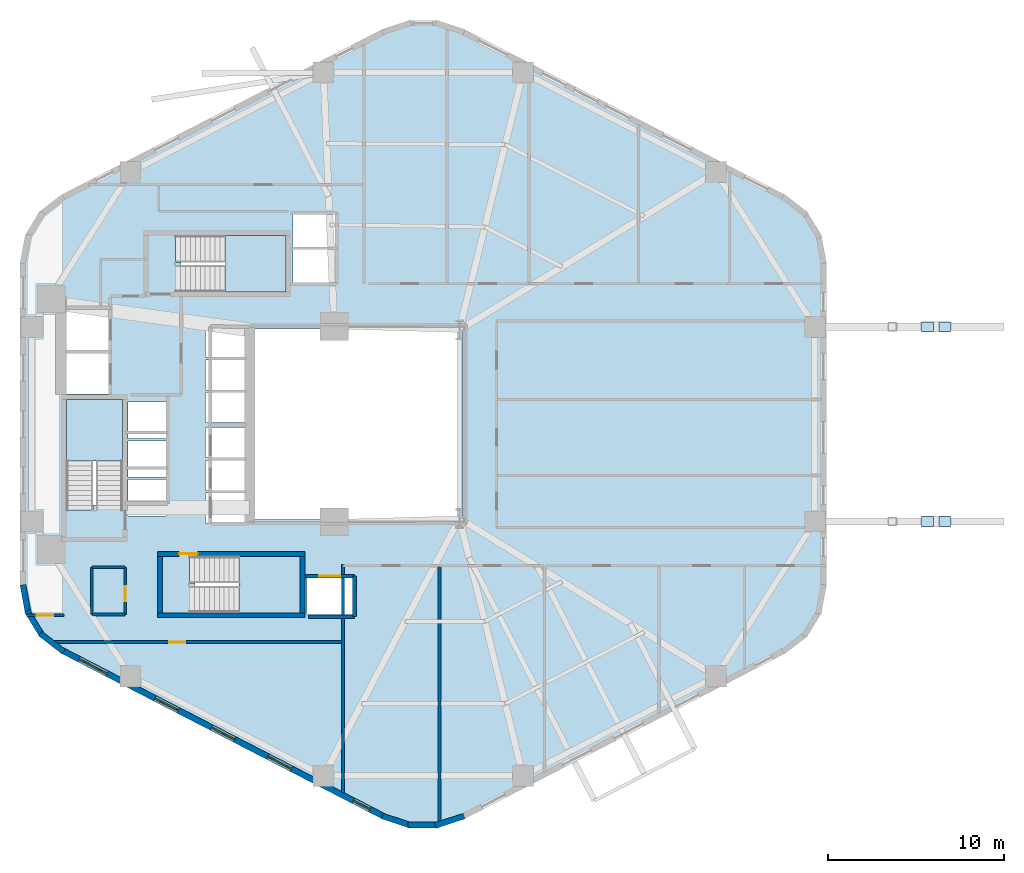
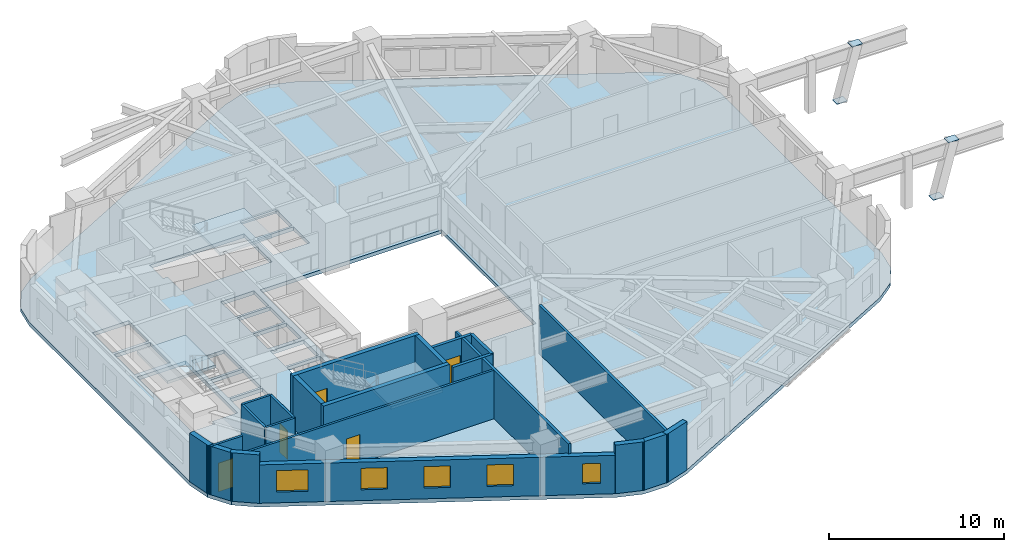
# One storey, part 2 of 7: 22 walls, 5 doors, 5 windows, 4 plates, 4 slabs, 10 openings, 3 elements without a shape of their own.
"""IFC4 building model written with IfcOpenShell, lengths in metres."""

from ifc_helpers import new_model, si_unit, direction, frame, frame_2d, origin, origin_2d, place, context, subcontext, project, spatial, polyline, rectangle, outline, extrude, material, layer, layer_set, type_object, element, fill, aggregate, save


model = new_model("IFC4")

# Units and contexts
model_context = context("Model", 3, precision=1e-05, world=origin(), true_north=direction((0.0, 1.0)))
body_context = subcontext(model_context, "Body", "Model", "MODEL_VIEW")
ifc_project = project(units=[si_unit("LENGTHUNIT", "METRE"), si_unit("AREAUNIT", "SQUARE_METRE"), si_unit("VOLUMEUNIT", "CUBIC_METRE"), si_unit("PLANEANGLEUNIT", "RADIAN"), si_unit("MASSUNIT", "GRAM", prefix="KILO"), si_unit("THERMODYNAMICTEMPERATUREUNIT", "KELVIN"), si_unit("POWERUNIT", "WATT")], contexts=[model_context])

# Site, building, storey
site_placement = place(None, origin())
site = spatial("IfcSite", under=ifc_project, at=site_placement, CompositionType="ELEMENT")
building_placement = place(site_placement, origin())
building = spatial("IfcBuilding", under=site, at=building_placement, Name="Skarre Station Tower", CompositionType="ELEMENT")
storey_placement = place(building_placement, frame((0.0, 0.0, 41.60009765625)))
storey = spatial("IfcBuildingStorey", under=building, at=storey_placement, Name="L10", CompositionType="ELEMENT", Elevation=41.60009765625)

# Plates
ifc_material_1 = material(Name="Steel ASTM A572 Grade 50", Category="steel")
ifc_layer_1 = layer(ifc_material_1, 0.031982421875, Name="Steel ASTM A572 Grade 50")
ifc_layer_set_1 = layer_set([ifc_layer_1], Name="Steel ASTM A572 Grade 50")
plate_type = type_object("IfcPlateType", Name="Exoskeleton Strut Cap Plate 700x540x32", PredefinedType="USERDEFINED", material=ifc_layer_set_1)
for number, where, z_axis, x_axis, name in (
    (1, (65.992919921875, 18.47900390625, -0.2861328125), (0.0, 0.0, 1.0), (1.0, 0.0, 0.0), "L10 SB-1 Exoskeleton Tier-2 Base Gusset S1"),
    (2, (66.992919921875, 18.47900390625, 3.36376953125), (0.0, 0.0, 1.0), (1.0, 0.0, 0.0), "L10 SB-1 Exoskeleton Tier-2 Head Gusset S1"),
    (3, (65.992919921875, 29.52099609375, -0.2861328125), (0.0, 0.0, 1.0), (1.0, 0.0, 0.0), "L10 SB-1 Exoskeleton Tier-2 Base Gusset S2"),
    (4, (66.992919921875, 29.52099609375, 3.36376953125), (0.0, 0.0, 1.0), (1.0, 0.0, 0.0), "L10 SB-1 Exoskeleton Tier-2 Head Gusset S2"),
):
    element("IfcPlate", number, at=place(storey_placement, frame(where, z_axis=z_axis, x_axis=x_axis)), inside=storey, type_object=plate_type, Name=name, ObjectType="STIFFENER_PLATE", PredefinedType="USERDEFINED", context=body_context, shape_type="SweptSolid", body=[
        extrude(rectangle(XDim=0.699951171875, YDim=0.5400390625, at=origin_2d()), origin(), (0.0, 0.0, 1.0), 0.031982421875),
    ])

# Stair, slab
ifc_material_2 = material(Name="Concrete C40/50", Category="concrete")
stair_type_1 = type_object("IfcStairType", Name="Reinforced Concrete Exit Stair ST-1", PredefinedType="HALF_TURN_STAIR", material=ifc_material_2)
stair_1_placement = place(storey_placement, origin())
stair_1 = element("IfcStair", 5, at=stair_1_placement, inside=storey, type_object=stair_type_1, Name="L10 Core Exit Stair ST-1", PredefinedType="HALF_TURN_STAIR")
ifc_layer_2 = layer(ifc_material_2, 0.219970703125, Name="Concrete C40/50")
ifc_layer_set_2 = layer_set([ifc_layer_2], Name="Concrete C40/50")
slab_type_1 = type_object("IfcSlabType", Name="Reinforced Concrete Stair & Ramp Landing 220", PredefinedType="LANDING", material=ifc_layer_set_2)
slab_1_placement = place(storey_placement, frame((0.0, 0.0, 1.625)))
slab_1 = element("IfcSlab", 6, at=slab_1_placement, type_object=slab_type_1, Name="ST-1 landing 1", PredefinedType="LANDING", context=body_context, shape_type="SweptSolid", body=[
    extrude(outline(polyline([(20.35009765625, 21.919921875), (20.35009765625, 25.39990234375), (17.14990234375, 25.39990234375), (17.14990234375, 21.919921875), (20.35009765625, 21.919921875)])), origin(), (0.0, 0.0, 1.0), 0.199951171875),
])
aggregate(stair_1, [slab_1])

stair_type_2 = type_object("IfcStairType", Name="Reinforced Concrete Exit Stair ST-2", PredefinedType="HALF_TURN_STAIR", material=ifc_material_2)
stair_2_placement = place(storey_placement, origin())
stair_2 = element("IfcStair", 7, at=stair_2_placement, inside=storey, type_object=stair_type_2, Name="L10 Core Exit Stair ST-2", PredefinedType="HALF_TURN_STAIR")
slab_2_placement = place(storey_placement, frame((0.0, 0.0, 1.625)))
slab_2 = element("IfcSlab", 8, at=slab_2_placement, type_object=slab_type_1, Name="ST-2 landing 1", PredefinedType="LANDING", context=body_context, shape_type="SweptSolid", body=[
    extrude(outline(polyline([(26.949951171875, 13.300048828125), (30.39990234375, 13.300048828125), (30.39990234375, 16.5), (26.949951171875, 16.5), (26.949951171875, 13.300048828125)])), origin(), (0.0, 0.0, 1.0), 0.199951171875),
])
aggregate(stair_2, [slab_2])

stair_type_3 = type_object("IfcStairType", Name="Reinforced Concrete Exit Stair ST-3", PredefinedType="HALF_TURN_STAIR", material=ifc_material_2)
stair_3_placement = place(storey_placement, origin())
stair_3 = element("IfcStair", 9, at=stair_3_placement, inside=storey, type_object=stair_type_3, Name="L10 Core Exit Stair ST-3", PredefinedType="HALF_TURN_STAIR")
slab_3_placement = place(storey_placement, frame((0.0, 0.0, 1.625)))
slab_3 = element("IfcSlab", 10, at=slab_3_placement, type_object=slab_type_1, Name="ST-3 landing 1", PredefinedType="LANDING", context=body_context, shape_type="SweptSolid", body=[
    extrude(outline(polyline([(26.14990234375, 31.5), (29.60009765625, 31.5), (29.60009765625, 34.699951171875), (26.14990234375, 34.699951171875), (26.14990234375, 31.5)])), origin(), (0.0, 0.0, 1.0), 0.199951171875),
])
aggregate(stair_3, [slab_3])

# Slab
ifc_material_3 = material(Name="Concrete C50/60", Category="concrete")
ifc_layer_3 = layer(ifc_material_3, 0.260009765625, Name="Concrete C50/60")
ifc_layer_set_3 = layer_set([ifc_layer_3], Name="Concrete C50/60")
slab_type_2 = type_object("IfcSlabType", Name="Tower Typical Composite Floor Slab 260", PredefinedType="FLOOR", material=ifc_layer_set_3)
slab_4_placement = place(storey_placement, frame((0.0, 0.0, -0.260009765625)))
element("IfcSlab", 11, at=slab_4_placement, inside=storey, type_object=slab_type_2, Name="L10 Zone 1 Structural Floor Slab", PredefinedType="FLOOR", context=body_context, shape_type="SweptSolid", body=[
    extrude(outline(polyline([(60.262939453125, 33.201904296875), (59.98193359375, 34.72412109375), (59.177001953125, 36.044921875), (57.9541015625, 36.991943359375), (39.708984375, 46.407958984375), (38.196044921875, 46.906005859375), (36.60400390625, 46.906005859375), (35.091064453125, 46.407958984375), (16.845947265625, 36.991943359375), (15.623046875, 36.044921875), (14.818115234375, 34.72412109375), (14.537109375, 33.201904296875), (14.537109375, 14.798095703125), (14.818115234375, 13.27587890625), (15.623046875, 11.955078125), (16.845947265625, 11.008056640625), (35.091064453125, 1.592041015625), (36.60400390625, 1.093994140625), (38.196044921875, 1.093994140625), (39.708984375, 1.592041015625), (57.9541015625, 11.008056640625), (59.177001953125, 11.955078125), (59.98193359375, 13.27587890625), (60.262939453125, 14.798095703125), (60.262939453125, 33.201904296875)]), holes=[polyline([(18.669921875, 19.419921875), (18.669921875, 19.123046875), (17.14990234375, 19.123046875), (17.14990234375, 25.39990234375), (20.35009765625, 25.39990234375), (20.35009765625, 19.419921875), (18.669921875, 19.419921875)]), polyline([(24.449951171875, 14.97998046875), (24.153076171875, 14.97998046875), (24.153076171875, 16.5), (30.39990234375, 16.5), (30.39990234375, 13.300048828125), (24.449951171875, 13.300048828125), (24.449951171875, 14.97998046875)]), polyline([(23.64990234375, 33.179931640625), (23.35302734375, 33.179931640625), (23.35302734375, 34.699951171875), (29.60009765625, 34.699951171875), (29.60009765625, 31.5), (23.64990234375, 31.5), (23.64990234375, 33.179931640625)]), polyline([(17.14990234375, 28.0), (19.550048828125, 28.0), (19.550048828125, 25.699951171875), (17.14990234375, 25.699951171875), (17.14990234375, 28.0)]), polyline([(17.14990234375, 30.5), (19.550048828125, 30.5), (19.550048828125, 28.199951171875), (17.14990234375, 28.199951171875), (17.14990234375, 30.5)]), polyline([(30.800048828125, 15.300048828125), (33.39990234375, 15.300048828125), (33.39990234375, 13.199951171875), (30.800048828125, 13.199951171875), (30.800048828125, 15.300048828125)]), polyline([(25.050048828125, 20.10009765625), (27.25, 20.10009765625), (27.25, 18.39990234375), (25.050048828125, 18.39990234375), (25.050048828125, 20.10009765625)]), polyline([(25.050048828125, 21.949951171875), (27.25, 21.949951171875), (27.25, 20.25), (25.050048828125, 20.25), (25.050048828125, 21.949951171875)]), polyline([(25.050048828125, 23.800048828125), (27.25, 23.800048828125), (27.25, 22.10009765625), (25.050048828125, 22.10009765625), (25.050048828125, 23.800048828125)]), polyline([(25.050048828125, 25.800048828125), (27.25, 25.800048828125), (27.25, 24.10009765625), (25.050048828125, 24.10009765625), (25.050048828125, 25.800048828125)]), polyline([(25.050048828125, 27.64990234375), (27.25, 27.64990234375), (27.25, 25.949951171875), (25.050048828125, 25.949951171875), (25.050048828125, 27.64990234375)]), polyline([(25.050048828125, 29.5), (27.25, 29.5), (27.25, 27.800048828125), (25.050048828125, 27.800048828125), (25.050048828125, 29.5)]), polyline([(20.64990234375, 20.85009765625), (22.800048828125, 20.85009765625), (22.800048828125, 18.800048828125), (20.64990234375, 18.800048828125), (20.64990234375, 20.85009765625)]), polyline([(20.64990234375, 23.050048828125), (22.800048828125, 23.050048828125), (22.800048828125, 21.0), (20.64990234375, 21.0), (20.64990234375, 23.050048828125)]), polyline([(20.64990234375, 25.25), (22.800048828125, 25.25), (22.800048828125, 23.199951171875), (20.64990234375, 23.199951171875), (20.64990234375, 25.25)]), polyline([(30.0, 33.89990234375), (32.39990234375, 33.89990234375), (32.39990234375, 32.050048828125), (30.0, 32.050048828125), (30.0, 33.89990234375)]), polyline([(30.0, 35.89990234375), (32.39990234375, 35.89990234375), (32.39990234375, 34.050048828125), (30.0, 34.050048828125), (30.0, 35.89990234375)]), polyline([(27.60009765625, 29.39990234375), (39.60009765625, 29.39990234375), (39.60009765625, 18.60009765625), (27.60009765625, 18.60009765625), (27.60009765625, 29.39990234375)])]), origin(), (0.0, 0.0, 1.0), 0.260009765625),
])

# Walls
ifc_material_4 = material(Name="Acoustic Steel-Stud Gypsum Partition", Category="steel")
ifc_layer_4 = layer(ifc_material_4, 0.14990234375, Name="Acoustic Steel-Stud Gypsum Partition")
ifc_layer_set_4 = layer_set([ifc_layer_4], Name="Acoustic Steel-Stud Gypsum Partition")
wall_type_1 = type_object("IfcWallType", Name="Fire-Rated Corridor Acoustic Partition 150", PredefinedType="PARTITIONING", material=ifc_layer_set_4)
wall_1_placement = place(storey_placement, frame((18.60009765625, 15.8798828125, 0.0), z_axis=(0.0, 0.0, 1.0), x_axis=(0.0, -1.0, 0.0)))
element("IfcWall", 12, at=wall_1_placement, inside=storey, type_object=wall_type_1, Name="L10 Interior Partition WL-PT-L10-CSVC-W", PredefinedType="PARTITIONING", context=body_context, shape_type="SweptSolid", body=[
    extrude(rectangle(XDim=2.679931640625, YDim=0.14990234375, at=frame_2d((1.33984375, 0.0))), origin(), (0.0, 0.0, 1.0), 3.389892578125),
])
for number, where, z_axis, x_axis, name in (
    (13, (18.60009765625, 13.199951171875, 0.0), (0.0, 0.0, 1.0), (1.0, 0.0, 0.0), "L10 Interior Partition WL-PT-L10-CSVC-S"),
    (14, (18.60009765625, 15.8798828125, 0.0), (0.0, 0.0, 1.0), (1.0, 0.0, 0.0), "L10 Interior Partition WL-PT-L10-CSVC-N"),
):
    element("IfcWall", number, at=place(storey_placement, frame(where, z_axis=z_axis, x_axis=x_axis)), inside=storey, type_object=wall_type_1, Name=name, PredefinedType="PARTITIONING", context=body_context, shape_type="SweptSolid", body=[
        extrude(rectangle(XDim=1.889892578125, YDim=0.14990234375, at=frame_2d((0.94482421875, 0.0))), origin(), (0.0, 0.0, 1.0), 3.389892578125),
    ])

# Wall, opening, door
wall_2_placement = place(storey_placement, frame((20.489990234375, 13.199951171875, 0.0), z_axis=(0.0, 0.0, 1.0), x_axis=(0.0, 1.0, 0.0)))
wall_2 = element("IfcWall", 15, at=wall_2_placement, inside=storey, type_object=wall_type_1, Name="L10 Interior Partition WL-PT-L10-CSVC-E", PredefinedType="PARTITIONING", context=body_context, shape_type="SweptSolid", body=[
    extrude(rectangle(XDim=2.679931640625, YDim=0.14990234375, at=frame_2d((1.33984375, 0.0))), origin(), (0.0, 0.0, 1.0), 3.389892578125),
])
opening_1_placement = place(wall_2_placement, frame((0.75, 0.0, 0.0)))
opening_1 = element("IfcOpeningElement", 16, at=opening_1_placement, cuts=wall_2, Name="Opening DR-SVC86", PredefinedType="OPENING", context=body_context, shape_type="SweptSolid", body=[
    extrude(rectangle(XDim=0.860107421875, YDim=2.0, at=frame_2d((0.43017578125, 1.0))), frame((0.0, 0.0849609375, 0.0), z_axis=(0.0, -1.0, 0.0), x_axis=(1.0, 0.0, 0.0)), (0.0, 0.0, 1.0), 0.169921875),
])
ifc_material_5 = material(Name="Powder-Coated Hollow-Metal Acoustic Fire Leaf", Category="steel")
door_type_1 = type_object("IfcDoorType", Name="Compact Riser Fire Door FD60 860x2100", OperationType="SINGLE_SWING_LEFT", PredefinedType="DOOR", material=ifc_material_5)
door_1_placement = place(opening_1_placement, origin())
door_1 = element("IfcDoor", 17, at=door_1_placement, inside=storey, type_object=door_type_1, Name="L10 Supply Room Door", OperationType="SINGLE_SWING_LEFT", OverallHeight=2.0, OverallWidth=0.860107421875, PredefinedType="DOOR", context=body_context, shape_type="SweptSolid", body=[
    extrude(rectangle(XDim=0.860107421875, YDim=2.0, at=frame_2d((0.43017578125, 1.0))), frame((0.0, 0.02490234375, 0.0), z_axis=(0.0, -1.0, 0.0), x_axis=(1.0, 0.0, 0.0)), (0.0, 0.0, 1.0), 0.050048828125),
])
fill(opening_1, door_1)

wall_3_placement = place(storey_placement, frame((16.487060546875, 11.639892578125, 0.0), z_axis=(0.0, 0.0, 1.0), x_axis=(1.0, 0.0, 0.0)))
wall_3 = element("IfcWall", 18, at=wall_3_placement, inside=storey, type_object=wall_type_1, Name="L10 Interior Partition WL-PT-L10-SWP-N", PredefinedType="PARTITIONING", context=body_context, shape_type="SweptSolid", body=[
    extrude(rectangle(XDim=16.363037109375, YDim=0.14990234375, at=frame_2d((8.181640625, 0.0))), origin(), (0.0, 0.0, 1.0), 3.389892578125),
])
opening_2_placement = place(wall_3_placement, frame((6.512939453125, 0.0, 0.0)))
opening_2 = element("IfcOpeningElement", 19, at=opening_2_placement, cuts=wall_3, Name="Opening DR-SVC90", PredefinedType="OPENING", context=body_context, shape_type="SweptSolid", body=[
    extrude(rectangle(XDim=0.89990234375, YDim=2.0, at=frame_2d((0.449951171875, 1.0))), frame((0.0, 0.0849609375, 0.0), z_axis=(0.0, -1.0, 0.0), x_axis=(1.0, 0.0, 0.0)), (0.0, 0.0, 1.0), 0.169921875),
])
door_type_2 = type_object("IfcDoorType", Name="Service & Riser Fire Door FD60 900x2100", OperationType="SINGLE_SWING_LEFT", PredefinedType="DOOR", material=ifc_material_5)
door_2_placement = place(opening_2_placement, origin())
door_2 = element("IfcDoor", 20, at=door_2_placement, inside=storey, type_object=door_type_2, Name="L10 Floor Public Toilets Door", OperationType="SINGLE_SWING_LEFT", OverallHeight=2.0, OverallWidth=0.89990234375, PredefinedType="DOOR", context=body_context, shape_type="SweptSolid", body=[
    extrude(rectangle(XDim=0.89990234375, YDim=2.0, at=frame_2d((0.449951171875, 1.0))), frame((0.0, 0.02490234375, 0.0), z_axis=(0.0, -1.0, 0.0), x_axis=(1.0, 0.0, 0.0)), (0.0, 0.0, 1.0), 0.050048828125),
])
fill(opening_2, door_2)

wall_4_placement = place(storey_placement, frame((17.02001953125, 13.159912109375, 0.0), z_axis=(0.0, 0.0, 1.0), x_axis=(-1.0, 0.0, 0.0)))
wall_4 = element("IfcWall", 21, at=wall_4_placement, inside=storey, type_object=wall_type_1, Name="L10 Interior Partition WL-PT-L10-WW1-CW", PredefinedType="PARTITIONING", context=body_context, shape_type="SweptSolid", body=[
    extrude(rectangle(XDim=2.1201171875, YDim=0.14990234375, at=frame_2d((1.06005859375, 0.0))), origin(), (0.0, 0.0, 1.0), 3.389892578125),
])
opening_3_placement = place(wall_4_placement, frame((0.596923828125, 0.0, 0.0)))
opening_3 = element("IfcOpeningElement", 22, at=opening_3_placement, cuts=wall_4, Name="Opening DR-FD60", PredefinedType="OPENING", context=body_context, shape_type="SweptSolid", body=[
    extrude(rectangle(XDim=0.9599609375, YDim=2.0, at=frame_2d((0.47998046875, 1.0))), frame((0.0, 0.0849609375, 0.0), z_axis=(0.0, -1.0, 0.0), x_axis=(1.0, 0.0, 0.0)), (0.0, 0.0, 1.0), 0.169921875),
])
ifc_material_6 = material(Name="Nordic White-Oak Veneer Solid-Core Fire Leaf", Category="wood")
door_type_3 = type_object("IfcDoorType", Name="Corridor Suite Entry Fire Door FD60 960x2150", OperationType="SINGLE_SWING_LEFT", PredefinedType="DOOR", material=ifc_material_6)
door_3_placement = place(opening_3_placement, origin())
door_3 = element("IfcDoor", 23, at=door_3_placement, inside=storey, type_object=door_type_3, Name="L10 WW1 Entry Door", OperationType="SINGLE_SWING_LEFT", OverallHeight=2.0, OverallWidth=0.9599609375, PredefinedType="DOOR", context=body_context, shape_type="SweptSolid", body=[
    extrude(rectangle(XDim=0.9599609375, YDim=2.0, at=frame_2d((0.47998046875, 1.0))), frame((0.0, 0.02490234375, 0.0), z_axis=(0.0, -1.0, 0.0), x_axis=(1.0, 0.0, 0.0)), (0.0, 0.0, 1.0), 0.050048828125),
])
fill(opening_3, door_3)

# Wall, openings, windows
ifc_material_7 = material(Name="Precast concrete C45/55", Category="concrete")
ifc_layer_5 = layer(ifc_material_7, 0.340087890625, Name="Precast concrete C45/55")
ifc_layer_set_5 = layer_set([ifc_layer_5], Name="Precast concrete C45/55")
wall_type_2 = type_object("IfcWallType", Name="Nordic Honed Precast Facet Wall 340", PredefinedType="STANDARD", material=ifc_layer_set_5)
wall_5_placement = place(storey_placement, frame((35.1689453125, 1.742919921875, 0.0), z_axis=(0.0, 0.0, 1.0), x_axis=(-0.888634413993, 0.458616264721, 0.0)))
wall_5 = element("IfcWall", 24, at=wall_5_placement, inside=storey, type_object=wall_type_2, Name="L10 Facet 3 Nordic Precast Masonry Wall", PredefinedType="STANDARD", context=body_context, shape_type="SweptSolid", body=[
    extrude(rectangle(XDim=20.53125, YDim=0.340087890625, at=frame_2d((10.265625, 0.0))), origin(), (0.0, 0.0, 1.0), 2.683837890625),
])
opening_4_placement = place(wall_5_placement, frame((0.902099609375, 0.0, 0.75)))
opening_4 = element("IfcOpeningElement", 25, at=opening_4_placement, cuts=wall_5, Name="Opening WN-SLT", PredefinedType="OPENING", context=body_context, shape_type="SweptSolid", body=[
    extrude(rectangle(XDim=1.050048828125, YDim=1.39990234375, at=frame_2d((0.52490234375, 0.699951171875))), frame((0.0, 0.179931640625, 0.0), z_axis=(0.0, -1.0, 0.0), x_axis=(1.0, 0.0, 0.0)), (0.0, 0.0, 1.0), 0.360107421875),
])
opening_5_placement = place(wall_5_placement, frame((5.903076171875, 0.0, 0.75)))
opening_5 = element("IfcOpeningElement", 26, at=opening_5_placement, cuts=wall_5, Name="Opening WN-Z1B", PredefinedType="OPENING", context=body_context, shape_type="SweptSolid", body=[
    extrude(rectangle(XDim=1.5, YDim=1.5, at=frame_2d((0.75, 0.75))), frame((0.0, 0.179931640625, 0.0), z_axis=(0.0, -1.0, 0.0), x_axis=(1.0, 0.0, 0.0)), (0.0, 0.0, 1.0), 0.360107421875),
])
opening_6_placement = place(wall_5_placement, frame((9.51611328125, 0.0, 0.75)))
opening_6 = element("IfcOpeningElement", 27, at=opening_6_placement, cuts=wall_5, Name="Opening WN-Z1B", PredefinedType="OPENING", context=body_context, shape_type="SweptSolid", body=[
    extrude(rectangle(XDim=1.5, YDim=1.5, at=frame_2d((0.75, 0.75))), frame((0.0, 0.179931640625, 0.0), z_axis=(0.0, -1.0, 0.0), x_axis=(1.0, 0.0, 0.0)), (0.0, 0.0, 1.0), 0.360107421875),
])
opening_7_placement = place(wall_5_placement, frame((13.12890625, 0.0, 0.75)))
opening_7 = element("IfcOpeningElement", 28, at=opening_7_placement, cuts=wall_5, Name="Opening WN-Z1B", PredefinedType="OPENING", context=body_context, shape_type="SweptSolid", body=[
    extrude(rectangle(XDim=1.5, YDim=1.5, at=frame_2d((0.75, 0.75))), frame((0.0, 0.179931640625, 0.0), z_axis=(0.0, -1.0, 0.0), x_axis=(1.0, 0.0, 0.0)), (0.0, 0.0, 1.0), 0.360107421875),
])
opening_8_placement = place(wall_5_placement, frame((17.673095703125, 0.0, 0.75)))
opening_8 = element("IfcOpeningElement", 29, at=opening_8_placement, cuts=wall_5, Name="Opening WN-Z1A", PredefinedType="OPENING", context=body_context, shape_type="SweptSolid", body=[
    extrude(rectangle(XDim=1.800048828125, YDim=1.5, at=frame_2d((0.89990234375, 0.75))), frame((0.0, 0.179931640625, 0.0), z_axis=(0.0, -1.0, 0.0), x_axis=(1.0, 0.0, 0.0)), (0.0, 0.0, 1.0), 0.360107421875),
])
ifc_material_8 = material(Name="Low-Iron Triple Glazing with Bronze Anodized Frame", Category="glass")
window_type_1 = type_object("IfcWindowType", Name="Nordic Corner Slot Window 1050x1400", PartitioningType="SINGLE_PANEL", PredefinedType="WINDOW", material=ifc_material_8)
window_1_placement = place(opening_4_placement, origin())
window_1 = element("IfcWindow", 30, at=window_1_placement, inside=storey, type_object=window_type_1, Name="L10 Facade Window WL-FAC-L10-F3-1", OverallHeight=1.39990234375, OverallWidth=1.050048828125, PartitioningType="SINGLE_PANEL", PredefinedType="WINDOW", context=body_context, shape_type="SweptSolid", body=[
    extrude(rectangle(XDim=1.050048828125, YDim=1.39990234375, at=frame_2d((0.52490234375, 0.699951171875))), frame((0.0, 0.030029296875, 0.0), z_axis=(0.0, -1.0, 0.0), x_axis=(1.0, 0.0, 0.0)), (0.0, 0.0, 1.0), 0.06005859375),
])
fill(opening_4, window_1)
window_type_2 = type_object("IfcWindowType", Name="Nordic Punched Triple-Glazed Window 1500x1500", PartitioningType="SINGLE_PANEL", PredefinedType="WINDOW", material=ifc_material_8)
window_2_placement = place(opening_5_placement, origin())
window_2 = element("IfcWindow", 31, at=window_2_placement, inside=storey, type_object=window_type_2, Name="L10 Facade Window WL-FAC-L10-F3-2", OverallHeight=1.5, OverallWidth=1.5, PartitioningType="SINGLE_PANEL", PredefinedType="WINDOW", context=body_context, shape_type="SweptSolid", body=[
    extrude(rectangle(XDim=1.5, YDim=1.5, at=frame_2d((0.75, 0.75))), frame((0.0, 0.030029296875, 0.0), z_axis=(0.0, -1.0, 0.0), x_axis=(1.0, 0.0, 0.0)), (0.0, 0.0, 1.0), 0.06005859375),
])
fill(opening_5, window_2)
window_3_placement = place(opening_6_placement, origin())
window_3 = element("IfcWindow", 32, at=window_3_placement, inside=storey, type_object=window_type_2, Name="L10 Facade Window WL-FAC-L10-F3-3", OverallHeight=1.5, OverallWidth=1.5, PartitioningType="SINGLE_PANEL", PredefinedType="WINDOW", context=body_context, shape_type="SweptSolid", body=[
    extrude(rectangle(XDim=1.5, YDim=1.5, at=frame_2d((0.75, 0.75))), frame((0.0, 0.030029296875, 0.0), z_axis=(0.0, -1.0, 0.0), x_axis=(1.0, 0.0, 0.0)), (0.0, 0.0, 1.0), 0.06005859375),
])
fill(opening_6, window_3)
window_4_placement = place(opening_7_placement, origin())
window_4 = element("IfcWindow", 33, at=window_4_placement, inside=storey, type_object=window_type_2, Name="L10 Facade Window WL-FAC-L10-F3-4", OverallHeight=1.5, OverallWidth=1.5, PartitioningType="SINGLE_PANEL", PredefinedType="WINDOW", context=body_context, shape_type="SweptSolid", body=[
    extrude(rectangle(XDim=1.5, YDim=1.5, at=frame_2d((0.75, 0.75))), frame((0.0, 0.030029296875, 0.0), z_axis=(0.0, -1.0, 0.0), x_axis=(1.0, 0.0, 0.0)), (0.0, 0.0, 1.0), 0.06005859375),
])
fill(opening_7, window_4)
window_type_3 = type_object("IfcWindowType", Name="Nordic Punched Triple-Glazed Window 1800x1500", PartitioningType="SINGLE_PANEL", PredefinedType="WINDOW", material=ifc_material_8)
window_5_placement = place(opening_8_placement, origin())
window_5 = element("IfcWindow", 34, at=window_5_placement, inside=storey, type_object=window_type_3, Name="L10 Facade Window WL-FAC-L10-F3-5", OverallHeight=1.5, OverallWidth=1.800048828125, PartitioningType="SINGLE_PANEL", PredefinedType="WINDOW", context=body_context, shape_type="SweptSolid", body=[
    extrude(rectangle(XDim=1.800048828125, YDim=1.5, at=frame_2d((0.89990234375, 0.75))), frame((0.0, 0.030029296875, 0.0), z_axis=(0.0, -1.0, 0.0), x_axis=(1.0, 0.0, 0.0)), (0.0, 0.0, 1.0), 0.06005859375),
])
fill(opening_8, window_5)

# Walls
ifc_layer_6 = layer(ifc_material_7, 0.330078125, Name="Precast concrete C45/55")
ifc_layer_set_6 = layer_set([ifc_layer_6], Name="Precast concrete C45/55")
wall_type_3 = type_object("IfcWallType", Name="Nordic Rounded Corner Precast Wall 330", PredefinedType="STANDARD", material=ifc_layer_set_6)
wall_6_placement = place(storey_placement, frame((16.998046875, 11.09912109375, 0.0), z_axis=(0.0, 0.0, 1.0), x_axis=(-0.790691856293, 0.61221433207, 0.0)))
element("IfcWall", 35, at=wall_6_placement, inside=storey, type_object=wall_type_3, Name="L10 Rounded Corner Precast Wall F3-1", PredefinedType="STANDARD", context=body_context, shape_type="SweptSolid", body=[
    extrude(rectangle(XDim=1.67578125, YDim=0.330078125, at=frame_2d((0.837890625, 0.0))), origin(), (0.0, 0.0, 1.0), 3.389892578125),
])
wall_7_placement = place(storey_placement, frame((15.798095703125, 11.985107421875, 0.0), z_axis=(0.0, 0.0, 1.0), x_axis=(-0.520584129191, 0.853810379671, 0.0)))
element("IfcWall", 36, at=wall_7_placement, inside=storey, type_object=wall_type_3, Name="L10 Rounded Corner Precast Wall F3-2", PredefinedType="STANDARD", context=body_context, shape_type="SweptSolid", body=[
    extrude(rectangle(XDim=1.677001953125, YDim=0.330078125, at=frame_2d((0.83837890625, 0.0))), origin(), (0.0, 0.0, 1.0), 3.389892578125),
])
wall_8_placement = place(storey_placement, frame((14.991943359375, 13.241943359375, 0.0), z_axis=(0.0, 0.0, 1.0), x_axis=(-0.181714143354, 0.983351397063, 0.0)))
element("IfcWall", 37, at=wall_8_placement, inside=storey, type_object=wall_type_3, Name="L10 Rounded Corner Precast Wall F3-3", PredefinedType="STANDARD", context=body_context, shape_type="SweptSolid", body=[
    extrude(rectangle(XDim=1.677978515625, YDim=0.330078125, at=frame_2d((0.8388671875, 0.0))), origin(), (0.0, 0.0, 1.0), 3.389892578125),
])
wall_9_placement = place(storey_placement, frame((39.718994140625, 1.76904296875, 0.0), z_axis=(0.0, 0.0, 1.0), x_axis=(-0.94976901097, -0.312951794691, 0.0)))
element("IfcWall", 38, at=wall_9_placement, inside=storey, type_object=wall_type_3, Name="L10 Rounded Corner Precast Wall F4-1", PredefinedType="STANDARD", context=body_context, shape_type="SweptSolid", body=[
    extrude(rectangle(XDim=1.722412109375, YDim=0.330078125, at=frame_2d((0.861328125, 0.0))), origin(), (0.0, 0.0, 1.0), 3.389892578125),
])
wall_10_placement = place(storey_placement, frame((38.260986328125, 1.259033203125, 0.0), z_axis=(0.0, 0.0, 1.0), x_axis=(-1.0, 0.0, 0.0)))
element("IfcWall", 39, at=wall_10_placement, inside=storey, type_object=wall_type_3, Name="L10 Rounded Corner Precast Wall F4-2", PredefinedType="STANDARD", context=body_context, shape_type="SweptSolid", body=[
    extrude(rectangle(XDim=1.721923828125, YDim=0.330078125, at=frame_2d((0.86083984375, 0.0))), origin(), (0.0, 0.0, 1.0), 3.389892578125),
])
wall_11_placement = place(storey_placement, frame((36.717041015625, 1.22998046875, 0.0), z_axis=(0.0, 0.0, 1.0), x_axis=(-0.94976901097, 0.312951794691, 0.0)))
element("IfcWall", 40, at=wall_11_placement, inside=storey, type_object=wall_type_3, Name="L10 Rounded Corner Precast Wall F4-3", PredefinedType="STANDARD", context=body_context, shape_type="SweptSolid", body=[
    extrude(rectangle(XDim=1.722412109375, YDim=0.330078125, at=frame_2d((0.861328125, 0.0))), origin(), (0.0, 0.0, 1.0), 3.389892578125),
])
ifc_layer_7 = layer(ifc_material_3, 0.280029296875, Name="Concrete C50/60")
ifc_layer_set_7 = layer_set([ifc_layer_7], Name="Concrete C50/60")
wall_type_4 = type_object("IfcWallType", Name="RC Core Shear Wall 280", PredefinedType="SHEAR", material=ifc_layer_set_7)
wall_12_placement = place(storey_placement, frame((22.320068359375, 13.159912109375, 0.0), z_axis=(0.0, 0.0, 1.0), x_axis=(1.0, 0.0, 0.0)))
element("IfcWall", 41, at=wall_12_placement, inside=storey, type_object=wall_type_4, Name="L10 Stair ST-2 South Shear Wall", PredefinedType="SHEAR", context=body_context, shape_type="SweptSolid", body=[
    extrude(rectangle(XDim=8.35986328125, YDim=0.280029296875, at=frame_2d((4.179931640625, 0.0))), origin(), (0.0, 0.0, 1.0), 3.64990234375),
])

# Wall, opening, door
wall_13_placement = place(storey_placement, frame((30.679931640625, 16.639892578125, 0.0), z_axis=(0.0, 0.0, 1.0), x_axis=(-1.0, 0.0, 0.0)))
wall_13 = element("IfcWall", 42, at=wall_13_placement, inside=storey, type_object=wall_type_4, Name="L10 Stair ST-2 North Shear Wall", PredefinedType="SHEAR", context=body_context, shape_type="SweptSolid", body=[
    extrude(rectangle(XDim=8.35986328125, YDim=0.280029296875, at=frame_2d((4.179931640625, 0.0))), origin(), (0.0, 0.0, 1.0), 3.64990234375),
])
opening_9_placement = place(wall_13_placement, frame((6.080078125, 0.0, 0.0)))
opening_9 = element("IfcOpeningElement", 43, at=opening_9_placement, cuts=wall_13, Name="Opening DR-FD90", PredefinedType="OPENING", context=body_context, shape_type="SweptSolid", body=[
    extrude(rectangle(XDim=1.050048828125, YDim=2.0, at=frame_2d((0.52490234375, 1.0))), frame((0.0, 0.14990234375, 0.0), z_axis=(0.0, -1.0, 0.0), x_axis=(1.0, 0.0, 0.0)), (0.0, 0.0, 1.0), 0.300048828125),
])
ifc_material_9 = material(Name="Fire-Rated Insulated Steel Frame & Timber Core Leaf", Category="steel")
door_type_4 = type_object("IfcDoorType", Name="Stair & FSAE Lobby Fire Door FD90 1050x2150", OperationType="SINGLE_SWING_RIGHT", PredefinedType="DOOR", material=ifc_material_9)
door_4_placement = place(opening_9_placement, origin())
door_4 = element("IfcDoor", 44, at=door_4_placement, inside=storey, type_object=door_type_4, Name="L10 Stair ST-2 Exit Door", OperationType="SINGLE_SWING_RIGHT", OverallHeight=2.0, OverallWidth=1.050048828125, PredefinedType="DOOR", context=body_context, shape_type="SweptSolid", body=[
    extrude(rectangle(XDim=1.050048828125, YDim=2.0, at=frame_2d((0.52490234375, 1.0))), frame((0.0, 0.02490234375, 0.0), z_axis=(0.0, -1.0, 0.0), x_axis=(1.0, 0.0, 0.0)), (0.0, 0.0, 1.0), 0.050048828125),
])
fill(opening_9, door_4)

# Walls
for number, where, z_axis, x_axis, name in (
    (45, (22.4599609375, 16.5, 0.0), (0.0, 0.0, 1.0), (0.0, -1.0, 0.0), "L10 Stair ST-2 West Shear Wall"),
    (46, (30.5400390625, 13.300048828125, 0.0), (0.0, 0.0, 1.0), (0.0, 1.0, 0.0), "L10 Stair ST-2 East Shear Wall"),
):
    element("IfcWall", number, at=place(storey_placement, frame(where, z_axis=z_axis, x_axis=x_axis)), inside=storey, type_object=wall_type_4, Name=name, PredefinedType="SHEAR", context=body_context, shape_type="SweptSolid", body=[
        extrude(rectangle(XDim=3.199951171875, YDim=0.280029296875, at=frame_2d((1.60009765625, 0.0))), origin(), (0.0, 0.0, 1.0), 3.64990234375),
    ])

# Wall, opening, door
ifc_material_10 = material(Name="Gypsum Concrete Shaft Assembly C30/37", Category="concrete")
ifc_layer_8 = layer(ifc_material_10, 0.199951171875, Name="Gypsum Concrete Shaft Assembly C30/37")
ifc_layer_set_8 = layer_set([ifc_layer_8], Name="Gypsum Concrete Shaft Assembly C30/37")
wall_type_5 = type_object("IfcWallType", Name="Shaft & Core Fire Partition 200", PredefinedType="PARTITIONING", material=ifc_layer_set_8)
wall_14_placement = place(storey_placement, frame((33.5, 15.3798828125, 0.0), z_axis=(0.0, 0.0, 1.0), x_axis=(-1.0, 0.0, 0.0)))
wall_14 = element("IfcWall", 47, at=wall_14_placement, inside=storey, type_object=wall_type_5, Name="L10 Interior Partition WL-PT-L10-SV1-N", PredefinedType="PARTITIONING", context=body_context, shape_type="SweptSolid", body=[
    extrude(rectangle(XDim=2.820068359375, YDim=0.199951171875, at=frame_2d((1.41015625, 0.0))), origin(), (0.0, 0.0, 1.0), 3.389892578125),
])
opening_10_placement = place(wall_14_placement, frame((0.800048828125, 0.0, 0.0)))
opening_10 = element("IfcOpeningElement", 48, at=opening_10_placement, cuts=wall_14, Name="Opening LD-SV1", PredefinedType="OPENING", context=body_context, shape_type="SweptSolid", body=[
    extrude(rectangle(XDim=1.199951171875, YDim=2.199951171875, at=frame_2d((0.60009765625, 1.10009765625))), frame((0.0, 0.10986328125, 0.0), z_axis=(0.0, -1.0, 0.0), x_axis=(1.0, 0.0, 0.0)), (0.0, 0.0, 1.0), 0.219970703125),
])
ifc_material_11 = material(Name="Heavy-Gauge Brushed Stainless Steel Sliding Leaves", Category="steel")
door_type_5 = type_object("IfcDoorType", Name="Service Elevator Wide Sliding Landing Door 1200x2200", OperationType="SLIDING_TO_RIGHT", PredefinedType="DOOR", material=ifc_material_11)
door_5_placement = place(opening_10_placement, origin())
door_5 = element("IfcDoor", 49, at=door_5_placement, inside=storey, type_object=door_type_5, Name="L10 Service Lift LF-SV1 Landing Door", OperationType="SLIDING_TO_RIGHT", OverallHeight=2.199951171875, OverallWidth=1.199951171875, PredefinedType="DOOR", context=body_context, shape_type="SweptSolid", body=[
    extrude(rectangle(XDim=1.199951171875, YDim=2.199951171875, at=frame_2d((0.60009765625, 1.10009765625))), frame((0.0, 0.02490234375, 0.0), z_axis=(0.0, -1.0, 0.0), x_axis=(1.0, 0.0, 0.0)), (0.0, 0.0, 1.0), 0.050048828125),
])
fill(opening_10, door_5)

# Walls
wall_15_placement = place(storey_placement, frame((33.5, 13.080078125, 0.0), z_axis=(0.0, 0.0, 1.0), x_axis=(0.0, 1.0, 0.0)))
element("IfcWall", 50, at=wall_15_placement, inside=storey, type_object=wall_type_5, Name="L10 Interior Partition WL-PT-L10-SV1-E", PredefinedType="PARTITIONING", context=body_context, shape_type="SweptSolid", body=[
    extrude(rectangle(XDim=2.2998046875, YDim=0.199951171875, at=frame_2d((1.14990234375, 0.0))), origin(), (0.0, 0.0, 1.0), 3.389892578125),
])
wall_16_placement = place(storey_placement, frame((30.87890625, 13.080078125, 0.0), z_axis=(0.0, 0.0, 1.0), x_axis=(1.0, 0.0, 0.0)))
element("IfcWall", 51, at=wall_16_placement, inside=storey, type_object=wall_type_5, Name="L10 Interior Partition WL-PT-L10-SV1-S", PredefinedType="PARTITIONING", context=body_context, shape_type="SweptSolid", body=[
    extrude(rectangle(XDim=2.62109375, YDim=0.199951171875, at=frame_2d((1.310546875, 0.0))), origin(), (0.0, 0.0, 1.0), 3.389892578125),
])
ifc_layer_9 = layer(ifc_material_4, 0.1650390625, Name="Acoustic Steel-Stud Gypsum Partition")
ifc_layer_set_9 = layer_set([ifc_layer_9], Name="Acoustic Steel-Stud Gypsum Partition")
wall_type_6 = type_object("IfcWallType", Name="Suite Demising Acoustic Partition 165", PredefinedType="PARTITIONING", material=ifc_layer_set_9)
wall_17_placement = place(storey_placement, frame((32.85009765625, 3.06396484375, 0.0), z_axis=(0.0, 0.0, 1.0), x_axis=(0.0, 1.0, 0.0)))
element("IfcWall", 52, at=wall_17_placement, inside=storey, type_object=wall_type_6, Name="L10 Interior Partition WL-PT-L10-SWP-E", PredefinedType="PARTITIONING", context=body_context, shape_type="SweptSolid", body=[
    extrude(rectangle(XDim=12.966064453125, YDim=0.1650390625, at=frame_2d((6.48291015625, 0.0))), origin(), (0.0, 0.0, 1.0), 3.389892578125),
])
wall_18_placement = place(storey_placement, frame((38.3291015625, 1.443115234375, 0.0), z_axis=(0.0, 0.0, 1.0), x_axis=(0.0, 1.0, 0.0)))
element("IfcWall", 53, at=wall_18_placement, inside=storey, type_object=wall_type_6, Name="L10 Interior Partition WL-PT-L10-SW-P1", PredefinedType="PARTITIONING", context=body_context, shape_type="SweptSolid", body=[
    extrude(rectangle(XDim=14.48681640625, YDim=0.1650390625, at=frame_2d((7.243408203125, 0.0))), origin(), (0.0, 0.0, 1.0), 3.389892578125),
])

save(model, "model.ifc")
